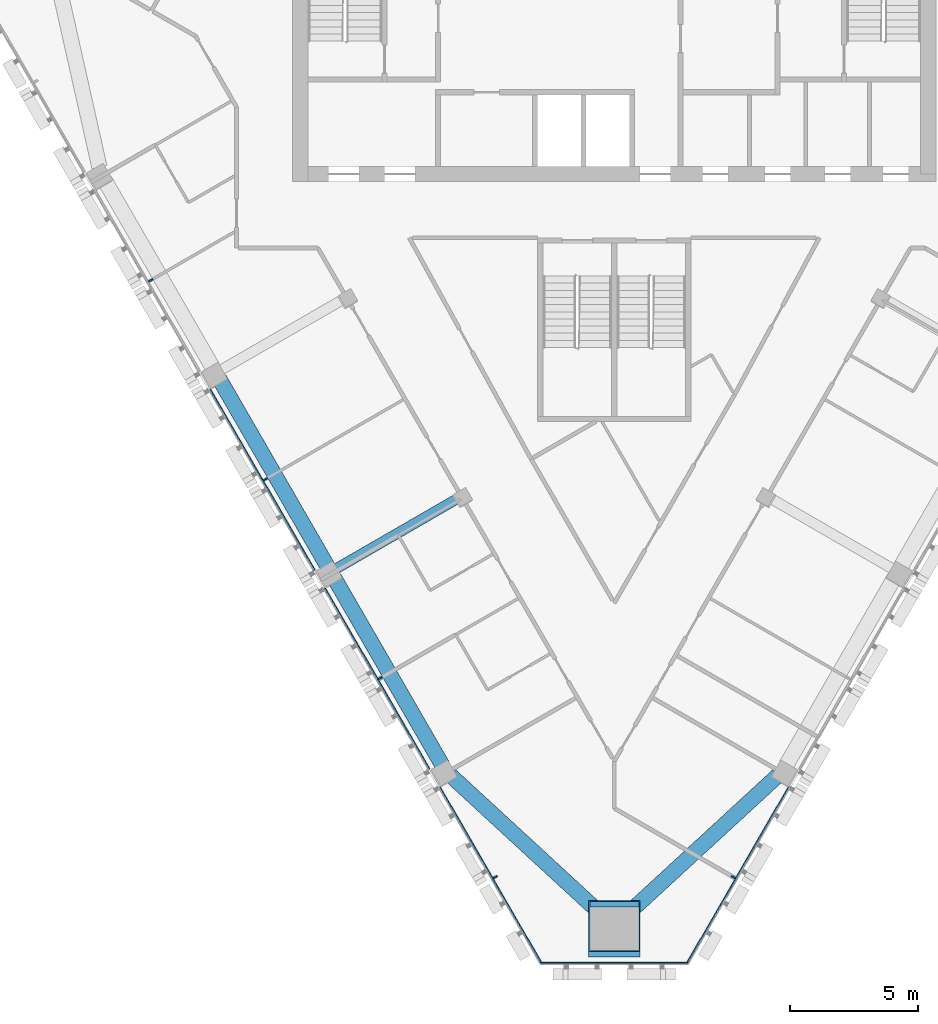
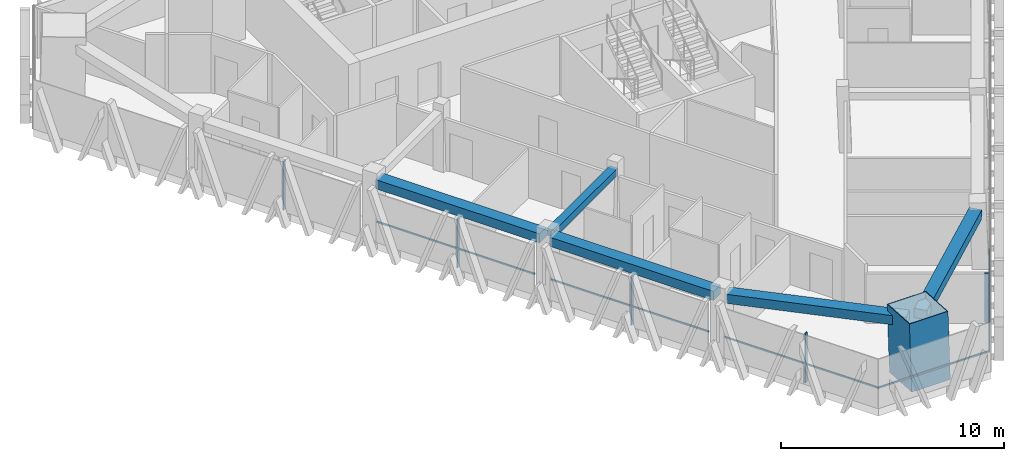
# One storey, part 2 of 14: 11 members, 5 beams, 3 elements without a shape of their own.
"""IFC4 building model written with IfcOpenShell, lengths in metres."""

from ifc_helpers import new_model, si_unit, direction, frame, origin, origin_2d, place, context, subcontext, project, spatial, rectangle, hollow_rectangle, extrude, material, layer, layer_set, material_profile, profile_set, type_object, element, aggregate, save


model = new_model("IFC4")

# Units and contexts
model_context = context("Model", 3, precision=1e-05, world=origin(), true_north=direction((0.0, 1.0)))
body_context = subcontext(model_context, "Body", "Model", "MODEL_VIEW")
ifc_project = project(units=[si_unit("LENGTHUNIT", "METRE"), si_unit("AREAUNIT", "SQUARE_METRE"), si_unit("VOLUMEUNIT", "CUBIC_METRE"), si_unit("PLANEANGLEUNIT", "RADIAN"), si_unit("MASSUNIT", "GRAM", prefix="KILO")], contexts=[model_context])

# Site, building, storey
site_placement = place(None, origin())
site = spatial("IfcSite", under=ifc_project, at=site_placement, CompositionType="ELEMENT")
building_placement = place(site_placement, origin())
building = spatial("IfcBuilding", under=site, at=building_placement, Name="Altiplano Prism Tower", CompositionType="ELEMENT")
storey_placement = place(building_placement, frame((0.0, 0.0, 223.0)))
storey = spatial("IfcBuildingStorey", under=building, at=storey_placement, Name="L57", CompositionType="ELEMENT", Elevation=223.0)

# Curtain wall, members
ifc_material_1 = material(Name="Aluminium and glass", Category="aluminium")
ifc_layer = layer(ifc_material_1, 0.280029296875)
ifc_layer_set = layer_set([ifc_layer], Name="Aluminium and glass")
curtain_wall_type = type_object("IfcCurtainWallType", Name="CW1 typical co-living unitised curtain wall", PredefinedType="NOTDEFINED", material=ifc_layer_set)
curtain_wall_1_placement = place(storey_placement, origin())
curtain_wall_1 = element("IfcCurtainWall", 1, at=curtain_wall_1_placement, inside=storey, type_object=curtain_wall_type, Name="CW1 curtain wall south-west face L57", PredefinedType="NOTDEFINED")
ifc_material_2 = material(Name="Aluminium", Category="aluminium")
ifc_material_profile_1 = material_profile(ifc_material_2, rectangle(XDim=0.179931640625, YDim=0.06494140625, at=origin_2d()), Name="CW1 mullion 65 x 180")
ifc_profile_set_1 = profile_set([ifc_material_profile_1], Name="Aluminium")
member_type_1 = type_object("IfcMemberType", Name="CW1 mullion 65 x 180", PredefinedType="MULLION", material=ifc_profile_set_1)
member_1_placement = place(storey_placement, frame((66.8330078125, 88.932373046875, 0.0), z_axis=(0.0, 0.0, 1.0), x_axis=(0.866025408567, 0.499999991717, 0.0)))
member_1 = element("IfcMember", 2, at=member_1_placement, type_object=member_type_1, Name="CW1 mullion", PredefinedType="MULLION", context=body_context, shape_type="SweptSolid", body=[
    extrude(rectangle(XDim=0.179931640625, YDim=0.06494140625, at=origin_2d()), origin(), (0.0, 0.0, 1.0), 2.699951171875),
])
member_2_placement = place(storey_placement, frame((71.3330078125, 81.13818359375, 0.0), z_axis=(0.0, 0.0, 1.0), x_axis=(0.866025408567, 0.499999991717, 0.0)))
member_2 = element("IfcMember", 3, at=member_2_placement, type_object=member_type_1, Name="CW1 mullion", PredefinedType="MULLION", context=body_context, shape_type="SweptSolid", body=[
    extrude(rectangle(XDim=0.179931640625, YDim=0.06494140625, at=origin_2d()), origin(), (0.0, 0.0, 1.0), 2.699951171875),
])
member_3_placement = place(storey_placement, frame((75.8330078125, 73.34375, 0.0), z_axis=(0.0, 0.0, 1.0), x_axis=(0.866025408567, 0.499999991717, 0.0)))
member_3 = element("IfcMember", 4, at=member_3_placement, type_object=member_type_1, Name="CW1 mullion", PredefinedType="MULLION", context=body_context, shape_type="SweptSolid", body=[
    extrude(rectangle(XDim=0.179931640625, YDim=0.06494140625, at=origin_2d()), origin(), (0.0, 0.0, 1.0), 2.699951171875),
])
member_4_placement = place(storey_placement, frame((80.3330078125, 65.549560546875, 0.0), z_axis=(0.0, 0.0, 1.0), x_axis=(0.866025408567, 0.499999991717, 0.0)))
member_4 = element("IfcMember", 5, at=member_4_placement, type_object=member_type_1, Name="CW1 mullion", PredefinedType="MULLION", context=body_context, shape_type="SweptSolid", body=[
    extrude(rectangle(XDim=0.179931640625, YDim=0.06494140625, at=origin_2d()), origin(), (0.0, 0.0, 1.0), 2.699951171875),
])

# Curtain wall, member
curtain_wall_2_placement = place(storey_placement, origin())
curtain_wall_2 = element("IfcCurtainWall", 6, at=curtain_wall_2_placement, inside=storey, type_object=curtain_wall_type, Name="CW1 curtain wall south-east face L57", PredefinedType="NOTDEFINED")
member_5_placement = place(storey_placement, frame((89.6669921875, 65.549560546875, 0.0), z_axis=(0.0, 0.0, 1.0), x_axis=(-0.866025408567, 0.499999991717, 0.0)))
member_5 = element("IfcMember", 7, at=member_5_placement, type_object=member_type_1, Name="CW1 mullion", PredefinedType="MULLION", context=body_context, shape_type="SweptSolid", body=[
    extrude(rectangle(XDim=0.179931640625, YDim=0.06494140625, at=origin_2d()), origin(), (0.0, 0.0, 1.0), 2.699951171875),
])

# Member
ifc_material_profile_2 = material_profile(ifc_material_2, rectangle(XDim=0.06005859375, YDim=0.080078125, at=origin_2d()), Name="CW1 transom 80 x 60")
ifc_profile_set_2 = profile_set([ifc_material_profile_2], Name="Aluminium")
member_type_2 = type_object("IfcMemberType", Name="CW1 transom 80 x 60", PredefinedType="USERDEFINED", material=ifc_profile_set_2)
member_6_placement = place(storey_placement, frame((69.166748046875, 84.64990234375, 1.10009765625), z_axis=(0.500008722908, -0.866020367552, 0.0), x_axis=(0.866020367552, 0.500008722908, 0.0)))
member_6 = element("IfcMember", 8, at=member_6_placement, type_object=member_type_2, Name="CW1 transom", ObjectType="TRANSOM", PredefinedType="USERDEFINED", context=body_context, shape_type="SweptSolid", body=[
    extrude(rectangle(XDim=0.06005859375, YDim=0.080078125, at=origin_2d()), origin(), (0.0, 0.0, 1.0), 8.169677734375),
])

member_7_placement = place(storey_placement, frame((73.666748046875, 76.855712890625, 1.10009765625), z_axis=(0.499995783154, -0.866027838368, 0.0), x_axis=(0.866027838368, 0.499995783154, 0.0)))
member_7 = element("IfcMember", 9, at=member_7_placement, type_object=member_type_2, Name="CW1 transom", ObjectType="TRANSOM", PredefinedType="USERDEFINED", context=body_context, shape_type="SweptSolid", body=[
    extrude(rectangle(XDim=0.06005859375, YDim=0.080078125, at=origin_2d()), origin(), (0.0, 0.0, 1.0), 8.169921875),
])

member_8_placement = place(storey_placement, frame((78.166748046875, 69.0615234375, 1.10009765625), z_axis=(0.50002266109, -0.866012320003, 0.0), x_axis=(0.866012320003, 0.50002266109, 0.0)))
member_8 = element("IfcMember", 10, at=member_8_placement, type_object=member_type_2, Name="CW1 transom", ObjectType="TRANSOM", PredefinedType="USERDEFINED", context=body_context, shape_type="SweptSolid", body=[
    extrude(rectangle(XDim=0.06005859375, YDim=0.080078125, at=origin_2d()), origin(), (0.0, 0.0, 1.0), 7.978271484375),
])

aggregate(curtain_wall_1, [member_1, member_2, member_6, member_3, member_7, member_4, member_8])

# Curtain wall, member
curtain_wall_3_placement = place(storey_placement, origin())
curtain_wall_3 = element("IfcCurtainWall", 11, at=curtain_wall_3_placement, inside=storey, type_object=curtain_wall_type, Name="CW1 curtain wall south chamfer L57", PredefinedType="NOTDEFINED")
member_9_placement = place(storey_placement, frame((82.09521484375, 62.187255859375, 1.10009765625), z_axis=(1.0, 0.0, 0.0), x_axis=(0.0, 1.0, 0.0)))
member_9 = element("IfcMember", 12, at=member_9_placement, type_object=member_type_2, Name="CW1 transom", ObjectType="TRANSOM", PredefinedType="USERDEFINED", context=body_context, shape_type="SweptSolid", body=[
    extrude(rectangle(XDim=0.06005859375, YDim=0.080078125, at=origin_2d()), origin(), (0.0, 0.0, 1.0), 5.8095703125),
])
aggregate(curtain_wall_3, [member_9])

# Member
member_10_placement = place(storey_placement, frame((87.843994140625, 62.15234375, 1.10009765625), z_axis=(0.50002266109, 0.866012320003, 0.0), x_axis=(-0.866012320003, 0.50002266109, 0.0)))
member_10 = element("IfcMember", 13, at=member_10_placement, type_object=member_type_2, Name="CW1 transom", ObjectType="TRANSOM", PredefinedType="USERDEFINED", context=body_context, shape_type="SweptSolid", body=[
    extrude(rectangle(XDim=0.06005859375, YDim=0.080078125, at=origin_2d()), origin(), (0.0, 0.0, 1.0), 7.978271484375),
])

aggregate(curtain_wall_2, [member_5, member_10])

# Beams
ifc_material_3 = material(Name="Concrete C60/75", Category="concrete")
ifc_material_profile_3 = material_profile(ifc_material_3, rectangle(XDim=0.60009765625, YDim=0.5, at=origin_2d()), Name="Edge beam 600x500")
ifc_profile_set_3 = profile_set([ifc_material_profile_3], Name="Concrete C60/75")
beam_type_1 = type_object("IfcBeamType", Name="Edge beam 600x500", PredefinedType="SPANDREL", material=ifc_profile_set_3)
beam_1_placement = place(storey_placement, frame((69.515625, 85.0830078125, 2.949951171875), z_axis=(0.499998747907, -0.86602612668, 0.0), x_axis=(0.86602612668, 0.499998747907, 0.0)))
element("IfcBeam", 14, at=beam_1_placement, inside=storey, type_object=beam_type_1, Name="Edge beam P12-P13 L58", PredefinedType="SPANDREL", context=body_context, shape_type="SweptSolid", body=[
    extrude(rectangle(XDim=0.60009765625, YDim=0.5, at=origin_2d()), origin(), (0.0, 0.0, 1.0), 8.490234375),
])
beam_2_placement = place(storey_placement, frame((74.015625, 77.28857421875, 2.949951171875), z_axis=(0.500011199594, -0.866018937599, 0.0), x_axis=(0.866018937599, 0.500011199594, 0.0)))
element("IfcBeam", 15, at=beam_2_placement, inside=storey, type_object=beam_type_1, Name="Edge beam P13-P14 L58", PredefinedType="SPANDREL", context=body_context, shape_type="SweptSolid", body=[
    extrude(rectangle(XDim=0.60009765625, YDim=0.5, at=origin_2d()), origin(), (0.0, 0.0, 1.0), 8.489990234375),
])
for number, where, z_axis, x_axis, name in (
    (16, (78.5888671875, 69.530517578125, 2.949951171875), (0.735661305951, -0.677349572175, 0.0), (0.677349572175, 0.735661305951, 0.0), "Edge beam P14-M1 L58"),
    (17, (85.3310546875, 63.932373046875, 2.949951171875), (0.735661305951, 0.677349572175, 0.0), (-0.677349572175, 0.735661305951, 0.0), "Edge beam M1-P21 L58"),
):
    element("IfcBeam", number, at=place(storey_placement, frame(where, z_axis=z_axis, x_axis=x_axis)), inside=storey, type_object=beam_type_1, Name=name, PredefinedType="SPANDREL", context=body_context, shape_type="SweptSolid", body=[
        extrude(rectangle(XDim=0.60009765625, YDim=0.5, at=origin_2d()), origin(), (0.0, 0.0, 1.0), 8.264892578125),
    ])

# Member
ifc_material_4 = material(Name="Steel S460", Category="steel")
ifc_material_profile_4 = material_profile(ifc_material_4, hollow_rectangle(XDim=2.0, YDim=2.0, WallThickness=0.0400390625, at=origin_2d()), Name="Mega column tube 2000")
ifc_profile_set_4 = profile_set([ifc_material_profile_4], Name="Steel S460")
member_type_3 = type_object("IfcMemberType", Name="Mega column tube 2000", PredefinedType="POST", material=ifc_profile_set_4)
member_11_placement = place(storey_placement, frame((85.0, 63.417236328125, 0.0), z_axis=(0.0, 0.058356907999, 0.998295783467), x_axis=(-1.0, 0.0, 0.0)))
element("IfcMember", 18, at=member_11_placement, inside=storey, type_object=member_type_3, Name="Mega column tube M1 L57", PredefinedType="POST", context=body_context, shape_type="SweptSolid", body=[
    extrude(hollow_rectangle(XDim=2.0, YDim=2.0, WallThickness=0.0400390625, at=origin_2d()), origin(), (0.0, 0.0, 1.0), 3.606201171875),
])

# Beam
ifc_material_profile_5 = material_profile(ifc_material_3, rectangle(XDim=0.39990234375, YDim=0.39990234375, at=origin_2d()), Name="Tie beam 400x400")
ifc_profile_set_5 = profile_set([ifc_material_profile_5], Name="Concrete C60/75")
beam_type_2 = type_object("IfcBeamType", Name="Tie beam 400x400", PredefinedType="BEAM", material=ifc_profile_set_5)
beam_3_placement = place(storey_placement, frame((78.993408203125, 80.45703125, 3.0), z_axis=(-0.866026281646, -0.499998479497, 0.0), x_axis=(0.499998479497, -0.866026281646, 0.0)))
element("IfcBeam", 19, at=beam_3_placement, inside=storey, type_object=beam_type_2, Name="Tie beam I13 L58", PredefinedType="BEAM", context=body_context, shape_type="SweptSolid", body=[
    extrude(rectangle(XDim=0.39990234375, YDim=0.39990234375, at=origin_2d()), origin(), (0.0, 0.0, 1.0), 5.64013671875),
])

save(model, "model.ifc")
